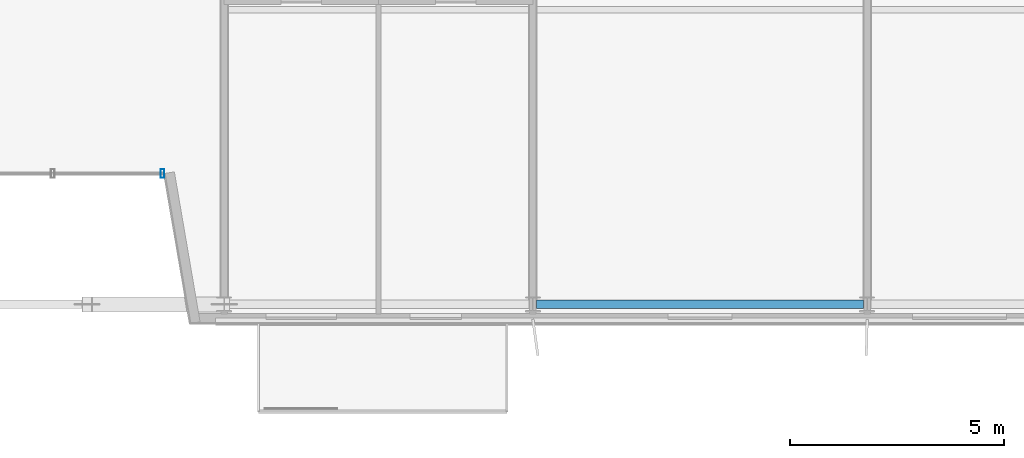
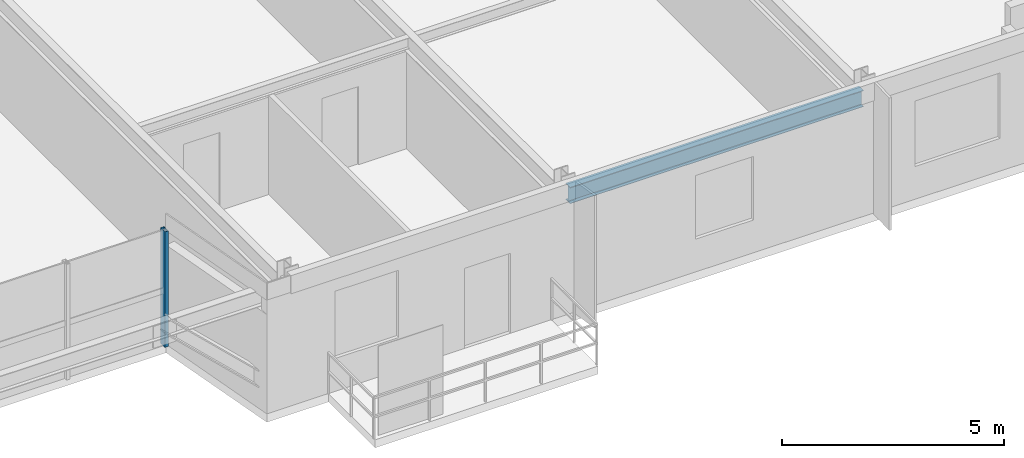
# One storey, part 8 of 26: 1 beam, 1 member, 1 element without a shape of its own.
"""IFC4 building model written with IfcOpenShell, lengths in metres."""

from ifc_helpers import new_model, si_unit, direction, frame, origin, origin_2d, place, context, subcontext, project, spatial, hollow_rectangle, i_section, extrude, source, transform, mapped, material, material_profile, profile_set, type_object, element, aggregate, save


model = new_model("IFC4")

# Units and contexts
model_context = context("Model", 3, precision=1e-05, world=origin(), true_north=direction((0.0, 1.0)))
body_context = subcontext(model_context, "Body", "Model", "MODEL_VIEW")
ifc_project = project(units=[si_unit("LENGTHUNIT", "METRE"), si_unit("AREAUNIT", "SQUARE_METRE"), si_unit("VOLUMEUNIT", "CUBIC_METRE"), si_unit("PLANEANGLEUNIT", "RADIAN"), si_unit("MASSUNIT", "GRAM", prefix="KILO")], contexts=[model_context])

# Site, building, storey
site_placement = place(None, origin())
site = spatial("IfcSite", under=ifc_project, at=site_placement, CompositionType="ELEMENT")
building_placement = place(site_placement, origin())
building = spatial("IfcBuilding", under=site, at=building_placement, Name="Trelvane Seafront Commons", CompositionType="ELEMENT")
storey_placement = place(building_placement, frame((0.0, 0.0, 291.89990234375)))
storey = spatial("IfcBuildingStorey", under=building, at=storey_placement, Name="L76", CompositionType="ELEMENT", Elevation=291.89990234375)

# Beam
ifc_material_1 = material(Name="Steel SM355 (S355)", Category="steel")
ifc_material_profile_1 = material_profile(ifc_material_1, i_section(OverallWidth=0.199951171875, OverallDepth=0.449951171875, WebThickness=0.009033203125, FlangeThickness=0.013916015625, at=origin_2d()), Name="H-450x200x9x14")
ifc_profile_set_1 = profile_set([ifc_material_profile_1], Name="Steel SM355 (S355)")
beam_type = type_object("IfcBeamType", Name="STR-SPD-H450", PredefinedType="SPANDREL", material=ifc_profile_set_1)
shared_shape_1 = source(origin(), body_context, "Body", "SweptSolid", [
    extrude(i_section(OverallWidth=0.199951171875, OverallDepth=0.449951171875, WebThickness=0.009033203125, FlangeThickness=0.013916015625, at=origin_2d()), origin(), (0.0, 0.0, 1.0), 7.625),
])
beam_placement = place(storey_placement, frame((51.08740234375, 3.949951171875, 2.955078125), z_axis=(1.0, 0.0, 0.0), x_axis=(0.0, 1.0, 0.0)))
element("IfcBeam", 1, at=beam_placement, inside=storey, type_object=beam_type, Name="L76 Primary Girder G-06", PredefinedType="SPANDREL", context=body_context, shape_type="MappedRepresentation", body=[
    mapped(shared_shape_1, transform((0.0, 0.0, 0.0), x_axis=(1.0, 0.0, 0.0), y_axis=(0.0, 1.0, 0.0), z_axis=(0.0, 0.0, 1.0), scale=1.0)),
])

# Curtain wall, member
ifc_material_2 = material(Name="Anodised pale-silver aluminium", Category="aluminium")
curtain_wall_type = type_object("IfcCurtainWallType", Name="ARCH-CW3-PORTAL", PredefinedType="NOTDEFINED", material=ifc_material_2)
curtain_wall_placement = place(storey_placement, origin())
curtain_wall = element("IfcCurtainWall", 2, at=curtain_wall_placement, inside=storey, type_object=curtain_wall_type, Name="CW-L76-VN-0121", PredefinedType="NOTDEFINED")
ifc_material_profile_2 = material_profile(ifc_material_2, hollow_rectangle(XDim=0.090087890625, YDim=0.199951171875, WallThickness=0.0048828125, at=origin_2d()), Name="MULL-90x200x5")
ifc_profile_set_2 = profile_set([ifc_material_profile_2], Name="Anodised pale-silver aluminium")
member_type = type_object("IfcMemberType", Name="ARCH-CW-MULL-200", PredefinedType="MULLION", material=ifc_profile_set_2)
shared_shape_2 = source(origin(), body_context, "Body", "SweptSolid", [
    extrude(hollow_rectangle(XDim=0.090087890625, YDim=0.199951171875, WallThickness=0.0048828125, at=origin_2d()), origin(), (0.0, 0.0, 1.0), 3.18017578125),
])
member_placement = place(storey_placement, frame((42.360107421875, 7.0, 0.0), z_axis=(0.0, 0.0, 1.0), x_axis=(1.0, 0.0, 0.0)))
member = element("IfcMember", 3, at=member_placement, type_object=member_type, Name="CW-L76-VN-0121-M00", PredefinedType="MULLION", context=body_context, shape_type="MappedRepresentation", body=[
    mapped(shared_shape_2, transform((0.0, 0.0, 0.0), x_axis=(1.0, 0.0, 0.0), y_axis=(0.0, 1.0, 0.0), z_axis=(0.0, 0.0, 1.0), scale=1.0)),
])
aggregate(curtain_wall, [member])

save(model, "model.ifc")
